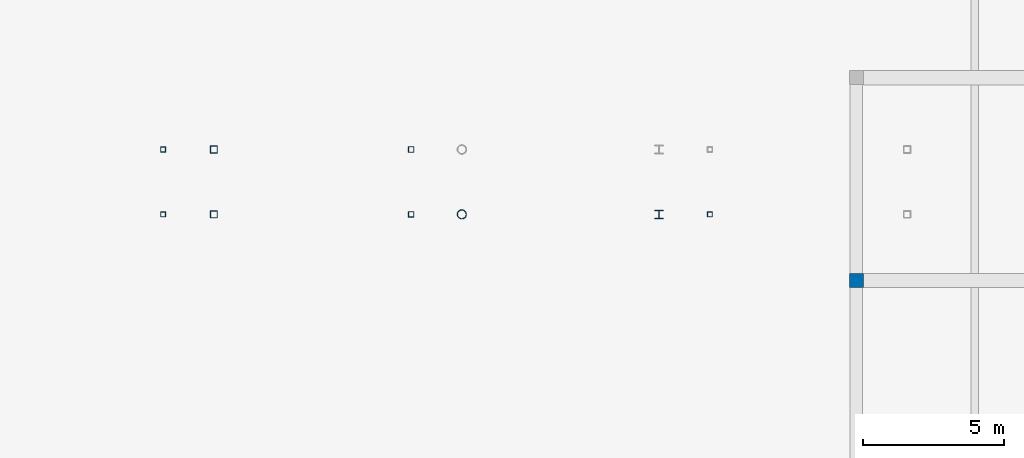
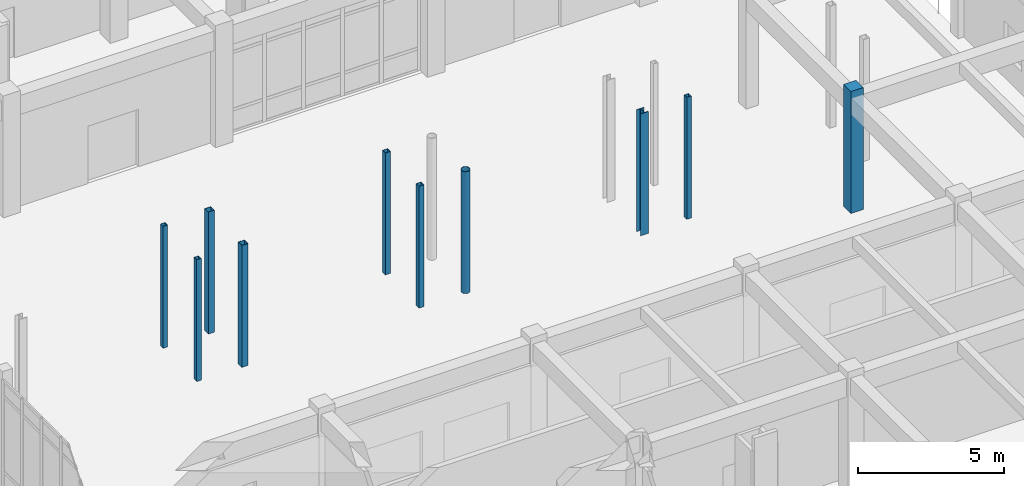
# One storey, part 26 of 121: 10 columns.
"""IFC4 building model written with IfcOpenShell, lengths in metres."""

from ifc_helpers import new_model, si_unit, direction, frame, origin, origin_2d, place, context, subcontext, project, spatial, rectangle, hollow_rectangle, hollow_circle, i_section, extrude, material, material_profile, profile_set, type_object, element, save


model = new_model("IFC4")

# Units and contexts
model_context = context("Model", 3, precision=1e-05, world=origin(), true_north=direction((0.0, 1.0)))
body_context = subcontext(model_context, "Body", "Model", "MODEL_VIEW")
ifc_project = project(units=[si_unit("LENGTHUNIT", "METRE"), si_unit("AREAUNIT", "SQUARE_METRE"), si_unit("VOLUMEUNIT", "CUBIC_METRE"), si_unit("PLANEANGLEUNIT", "RADIAN"), si_unit("MASSUNIT", "GRAM", prefix="KILO")], contexts=[model_context])

# Site, building, storey
site_placement = place(None, origin())
site = spatial("IfcSite", under=ifc_project, at=site_placement, CompositionType="ELEMENT")
building_placement = place(site_placement, origin())
building = spatial("IfcBuilding", under=site, at=building_placement, Name="Malvenik Polytechnic", CompositionType="ELEMENT")
storey_placement = place(building_placement, origin())
storey = spatial("IfcBuildingStorey", under=building, at=storey_placement, Name="L00", CompositionType="ELEMENT", Elevation=0.0)

# Columns
ifc_material_1 = material(Name="Concrete C35/45", Category="concrete")
ifc_material_profile_1 = material_profile(ifc_material_1, rectangle(XDim=0.5, YDim=0.5, at=origin_2d()), Name="RC COL 500x500")
ifc_profile_set_1 = profile_set([ifc_material_profile_1], Name="Concrete C35/45")
column_type_1 = type_object("IfcColumnType", Name="STR-COL-C-08", PredefinedType="COLUMN", material=ifc_profile_set_1)
column_1_placement = place(storey_placement, frame((126.0, 100.800048828125, 0.0), z_axis=(0.0, 0.0, 1.0), x_axis=(1.0, 0.0, 0.0)))
element("IfcColumn", 1, at=column_1_placement, inside=storey, type_object=column_type_1, Name="Column C-08 L00 (126.0,100.8)", PredefinedType="COLUMN", context=body_context, shape_type="SweptSolid", body=[
    extrude(rectangle(XDim=0.5, YDim=0.5, at=origin_2d()), origin(), (0.0, 0.0, 1.0), 5.10009765625),
])
ifc_material_2 = material(Name="Steel S355J2H", Category="steel")
ifc_material_profile_2 = material_profile(ifc_material_2, hollow_rectangle(XDim=0.25, YDim=0.25, WallThickness=0.010009765625, at=origin_2d()), Name="SHS 250x250x10.0")
ifc_profile_set_2 = profile_set([ifc_material_profile_2], Name="Steel S355J2H")
column_type_2 = type_object("IfcColumnType", Name="STR-SCOL-SC-01", PredefinedType="COLUMN", material=ifc_profile_set_2)
for number, where, z_axis, x_axis, name in (
    (2, (103.199951171875, 103.14990234375, 0.0), (0.0, 0.0, 1.0), (1.0, 0.0, 0.0), "Bridge-Ramp Support Column SC-01 L00"),
    (3, (103.199951171875, 105.449951171875, 0.0), (0.0, 0.0, 1.0), (1.0, 0.0, 0.0), "Bridge-Ramp Support Column SC-01 L00"),
):
    element("IfcColumn", number, at=place(storey_placement, frame(where, z_axis=z_axis, x_axis=x_axis)), inside=storey, type_object=column_type_2, Name=name, PredefinedType="COLUMN", context=body_context, shape_type="SweptSolid", body=[
        extrude(hollow_rectangle(XDim=0.25, YDim=0.25, WallThickness=0.010009765625, at=origin_2d()), origin(), (0.0, 0.0, 1.0), 5.10009765625),
    ])
ifc_material_profile_3 = material_profile(ifc_material_2, hollow_rectangle(XDim=0.199951171875, YDim=0.199951171875, WallThickness=0.010009765625, at=origin_2d()), Name="SHS 200x200x10.0")
ifc_profile_set_3 = profile_set([ifc_material_profile_3], Name="Steel S355J2H")
column_type_3 = type_object("IfcColumnType", Name="STR-SCOL-SC-02", PredefinedType="COLUMN", material=ifc_profile_set_3)
for number, where, z_axis, x_axis, name in (
    (4, (110.199951171875, 103.14990234375, 0.0), (0.0, 0.0, 1.0), (1.0, 0.0, 0.0), "Bridge-Ramp Support Column SC-02 L00"),
    (5, (110.199951171875, 105.449951171875, 0.0), (0.0, 0.0, 1.0), (1.0, 0.0, 0.0), "Bridge-Ramp Support Column SC-02 L00"),
):
    element("IfcColumn", number, at=place(storey_placement, frame(where, z_axis=z_axis, x_axis=x_axis)), inside=storey, type_object=column_type_3, Name=name, PredefinedType="COLUMN", context=body_context, shape_type="SweptSolid", body=[
        extrude(hollow_rectangle(XDim=0.199951171875, YDim=0.199951171875, WallThickness=0.010009765625, at=origin_2d()), origin(), (0.0, 0.0, 1.0), 5.10009765625),
    ])
ifc_material_profile_4 = material_profile(ifc_material_2, hollow_circle(Radius=0.161865234375, WallThickness=0.012451171875, at=origin_2d()), Name="CHS 323.9x12.5")
ifc_profile_set_4 = profile_set([ifc_material_profile_4], Name="Steel S355J2H")
column_type_4 = type_object("IfcColumnType", Name="STR-SCOL-SC-04", PredefinedType="COLUMN", material=ifc_profile_set_4)
column_2_placement = place(storey_placement, frame((112.0, 103.14990234375, 0.0), z_axis=(0.0, 0.0, 1.0), x_axis=(1.0, 0.0, 0.0)))
element("IfcColumn", 6, at=column_2_placement, inside=storey, type_object=column_type_4, Name="Bridge-Ramp Support Column SC-04 L00", PredefinedType="COLUMN", context=body_context, shape_type="SweptSolid", body=[
    extrude(hollow_circle(Radius=0.161865234375, WallThickness=0.012451171875, at=origin_2d()), origin(), (0.0, 0.0, 1.0), 5.10009765625),
])
ifc_material_3 = material(Name="Steel S355", Category="steel")
ifc_material_profile_5 = material_profile(ifc_material_3, i_section(OverallWidth=0.300048828125, OverallDepth=0.300048828125, WebThickness=0.010986328125, FlangeThickness=0.01904296875, FilletRadius=0.027099609375, at=origin_2d()), Name="HEB 300")
ifc_profile_set_5 = profile_set([ifc_material_profile_5], Name="Steel S355")
column_type_5 = type_object("IfcColumnType", Name="STR-SCOL-SC-05", PredefinedType="COLUMN", material=ifc_profile_set_5)
column_3_placement = place(storey_placement, frame((119.0, 103.14990234375, 0.0), z_axis=(0.0, 0.0, 1.0), x_axis=(1.0, 0.0, 0.0)))
element("IfcColumn", 7, at=column_3_placement, inside=storey, type_object=column_type_5, Name="Bridge-Ramp Support Column SC-05 L00", PredefinedType="COLUMN", context=body_context, shape_type="SweptSolid", body=[
    extrude(i_section(OverallWidth=0.300048828125, OverallDepth=0.300048828125, WebThickness=0.010986328125, FlangeThickness=0.01904296875, FilletRadius=0.027099609375, at=origin_2d()), origin(), (0.0, 0.0, 1.0), 5.10009765625),
])
ifc_material_profile_6 = material_profile(ifc_material_2, hollow_rectangle(XDim=0.179931640625, YDim=0.179931640625, WallThickness=0.008056640625, at=origin_2d()), Name="SHS 180x180x8.0")
ifc_profile_set_6 = profile_set([ifc_material_profile_6], Name="Steel S355J2H")
column_type_6 = type_object("IfcColumnType", Name="STR-SCOL-SC-06", PredefinedType="COLUMN", material=ifc_profile_set_6)
for number, where, z_axis, x_axis, name in (
    (8, (101.39990234375, 103.14990234375, 0.0), (0.0, 0.0, 1.0), (1.0, 0.0, 0.0), "Bridge-Ramp Support Column SC-06 L00"),
    (9, (101.39990234375, 105.449951171875, 0.0), (0.0, 0.0, 1.0), (1.0, 0.0, 0.0), "Bridge-Ramp Support Column SC-06 L00"),
    (10, (120.800048828125, 103.14990234375, 0.0), (0.0, 0.0, 1.0), (1.0, 0.0, 0.0), "Bridge-Ramp Support Column SC-06 L00"),
):
    element("IfcColumn", number, at=place(storey_placement, frame(where, z_axis=z_axis, x_axis=x_axis)), inside=storey, type_object=column_type_6, Name=name, PredefinedType="COLUMN", context=body_context, shape_type="SweptSolid", body=[
        extrude(hollow_rectangle(XDim=0.179931640625, YDim=0.179931640625, WallThickness=0.008056640625, at=origin_2d()), origin(), (0.0, 0.0, 1.0), 5.10009765625),
    ])

save(model, "model.ifc")
